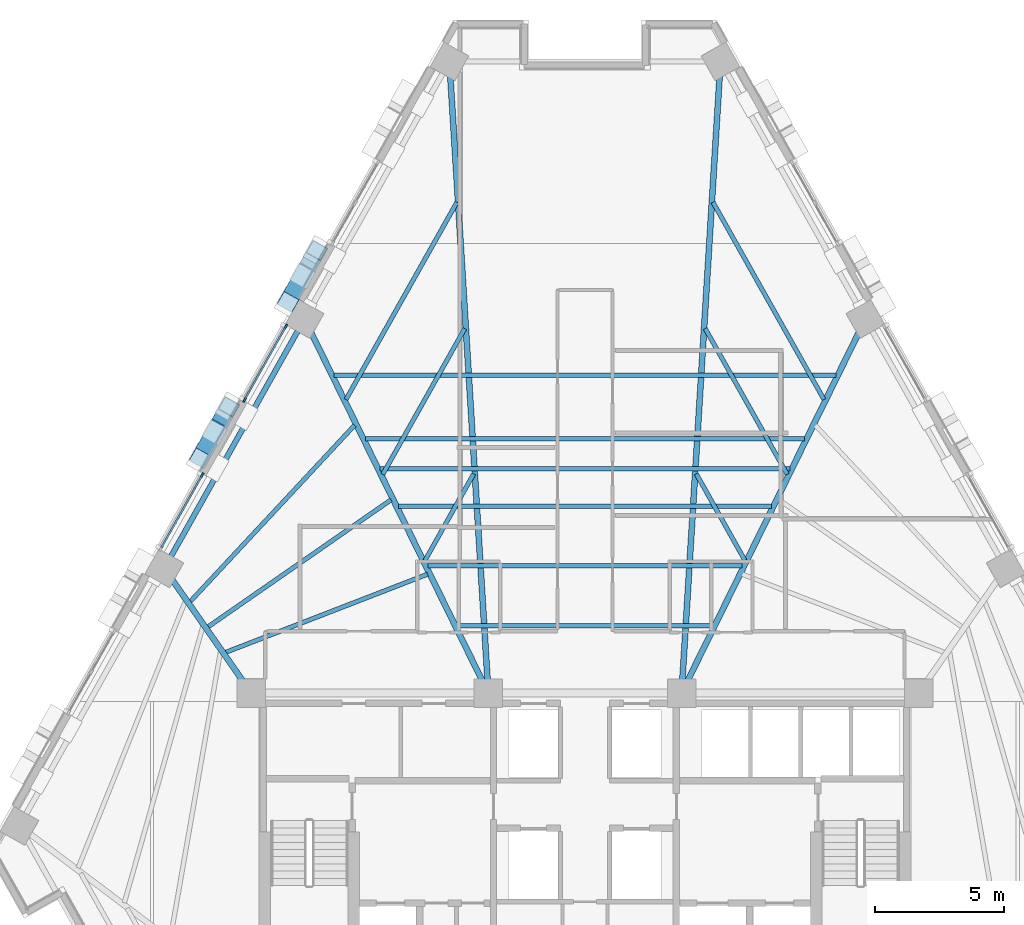
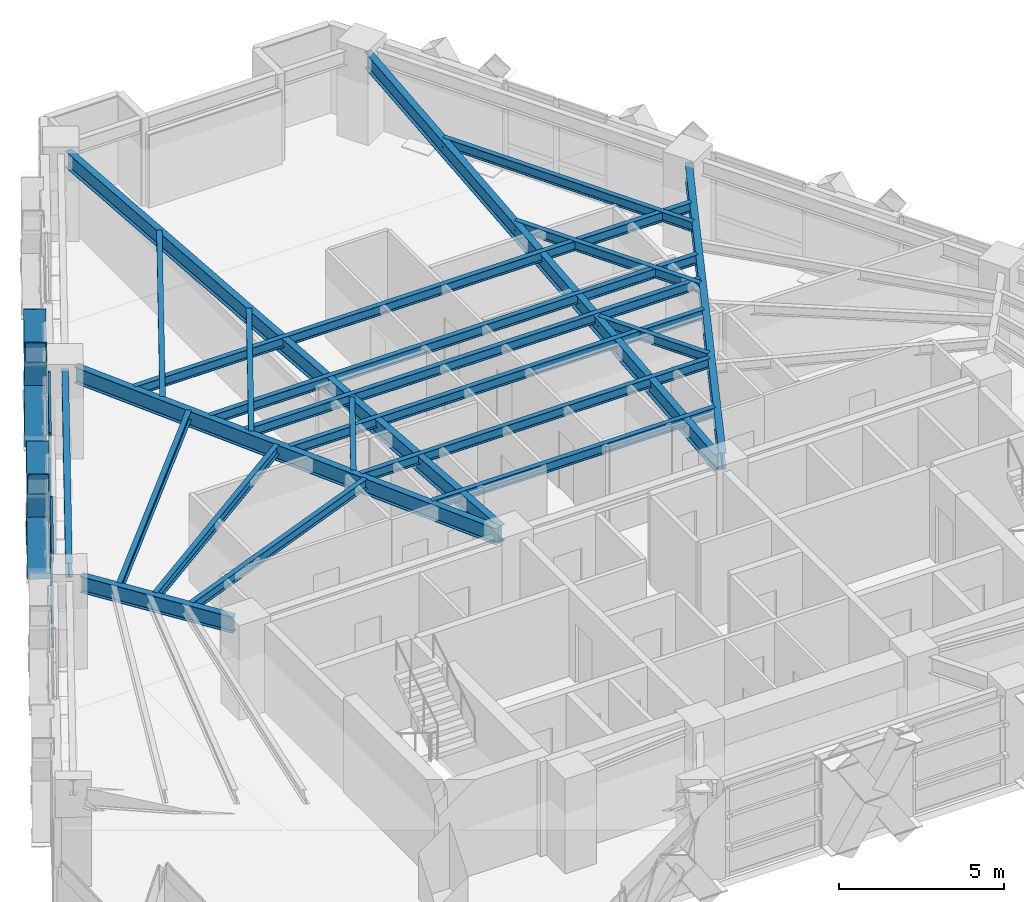
# One storey, part 3 of 14: 21 beams, 14 members, 2 elements without a shape of their own.
"""IFC4 building model written with IfcOpenShell, lengths in metres."""

from ifc_helpers import new_model, si_unit, direction, frame, origin, origin_2d, place, context, subcontext, project, spatial, rectangle, hollow_rectangle, i_section, extrude, material, material_profile, profile_set, type_object, element, aggregate, save


model = new_model("IFC4")

# Units and contexts
model_context = context("Model", 3, precision=1e-05, world=origin(), true_north=direction((0.0, 1.0)))
body_context = subcontext(model_context, "Body", "Model", "MODEL_VIEW")
ifc_project = project(units=[si_unit("LENGTHUNIT", "METRE"), si_unit("AREAUNIT", "SQUARE_METRE"), si_unit("VOLUMEUNIT", "CUBIC_METRE"), si_unit("PLANEANGLEUNIT", "RADIAN"), si_unit("MASSUNIT", "GRAM", prefix="KILO")], contexts=[model_context])

# Site, building, storey
site_placement = place(None, origin())
site = spatial("IfcSite", under=ifc_project, at=site_placement, CompositionType="ELEMENT")
building_placement = place(site_placement, origin())
building = spatial("IfcBuilding", under=site, at=building_placement, Name="Quenlor Broadcast Tower", CompositionType="ELEMENT")
storey_placement = place(building_placement, frame((0.0, 0.0, 112.5)))
storey = spatial("IfcBuildingStorey", under=building, at=storey_placement, Name="L30", CompositionType="ELEMENT", Elevation=112.5)

# Curtain wall, member
ifc_material_1 = material(Name="Architectural Terracotta and Low-E Glazing", Category="masonry")
curtain_wall_type = type_object("IfcCurtainWallType", Name="Unitised Terracotta Curtain Wall System Z2", PredefinedType="NOTDEFINED", material=ifc_material_1)
curtain_wall_1_placement = place(storey_placement, origin())
curtain_wall_1 = element("IfcCurtainWall", 1, at=curtain_wall_1_placement, inside=storey, type_object=curtain_wall_type, Name="L30 Curtain Wall CW2 (L30-NW-G1)", PredefinedType="NOTDEFINED")
ifc_material_2 = material(Name="Aluminium 6063-T6", Category="aluminium")
ifc_material_profile_1 = material_profile(ifc_material_2, rectangle(XDim=0.074951171875, YDim=0.199951171875, at=origin_2d()))
ifc_profile_set_1 = profile_set([ifc_material_profile_1], Name="Aluminium 6063-T6 MULL75x200")
member_type_1 = type_object("IfcMemberType", Name="CW2 Aluminium Mullion MULL_CW2", PredefinedType="MULLION", material=ifc_profile_set_1)
member_1_placement = place(storey_placement, frame((-14.857177734375, 3.660888671875, 0.0), z_axis=(0.0, 0.0, 1.0), x_axis=(-0.871575537123, 0.490261239636, 0.0)))
member_1 = element("IfcMember", 2, at=member_1_placement, type_object=member_type_1, Name="CW2 mullion 2", PredefinedType="MULLION", context=body_context, shape_type="SweptSolid", body=[
    extrude(rectangle(XDim=0.074951171875, YDim=0.199951171875, at=origin_2d()), origin(), (0.0, 0.0, 1.0), 3.25),
])

# Curtain wall, members
curtain_wall_2_placement = place(storey_placement, origin())
curtain_wall_2 = element("IfcCurtainWall", 3, at=curtain_wall_2_placement, inside=storey, type_object=curtain_wall_type, Name="L30 Curtain Wall CW2 (L30-NW-G2)", PredefinedType="NOTDEFINED")
member_2_placement = place(storey_placement, frame((-13.2138671875, 6.582275390625, 0.0), z_axis=(0.0, 0.0, 1.0), x_axis=(-0.871575537123, 0.490261239636, 0.0)))
member_2 = element("IfcMember", 4, at=member_2_placement, type_object=member_type_1, Name="CW2 mullion 1", PredefinedType="MULLION", context=body_context, shape_type="SweptSolid", body=[
    extrude(rectangle(XDim=0.074951171875, YDim=0.199951171875, at=origin_2d()), origin(), (0.0, 0.0, 1.0), 3.25),
])
member_3_placement = place(storey_placement, frame((-11.611572265625, 9.430419921875, 0.0), z_axis=(0.0, 0.0, 1.0), x_axis=(-0.871575537123, 0.490261239636, 0.0)))
member_3 = element("IfcMember", 5, at=member_3_placement, type_object=member_type_1, Name="CW2 mullion 2", PredefinedType="MULLION", context=body_context, shape_type="SweptSolid", body=[
    extrude(rectangle(XDim=0.074951171875, YDim=0.199951171875, at=origin_2d()), origin(), (0.0, 0.0, 1.0), 3.25),
])

# Member
ifc_material_3 = material(Name="Aluminium 6063-T6", Category="aluminium")
ifc_material_profile_2 = material_profile(ifc_material_3, rectangle(XDim=0.074951171875, YDim=0.1650390625, at=origin_2d()))
ifc_profile_set_2 = profile_set([ifc_material_profile_2], Name="Aluminium 6063-T6 TRAN75x165")
member_type_2 = type_object("IfcMemberType", Name="CW2 Aluminium Transom TRAN_CW2", PredefinedType="USERDEFINED", material=ifc_profile_set_2)
member_4_placement = place(storey_placement, frame((-16.44091796875, 0.845458984375, 0.03759765625), z_axis=(0.490297543358, 0.871555115283, 0.0), x_axis=(-0.871555115283, 0.490297543358, 0.0)))
member_4 = element("IfcMember", 6, at=member_4_placement, type_object=member_type_2, Name="CW2 transom 1.1", ObjectType="TRANSOM", PredefinedType="USERDEFINED", context=body_context, shape_type="SweptSolid", body=[
    extrude(rectangle(XDim=0.074951171875, YDim=0.1650390625, at=origin_2d()), origin(), (0.0, 0.0, 1.0), 3.19287109375),
])

member_5_placement = place(storey_placement, frame((-16.44091796875, 0.845458984375, 0.949951171875), z_axis=(0.490297543358, 0.871555115283, 0.0), x_axis=(-0.871555115283, 0.490297543358, 0.0)))
member_5 = element("IfcMember", 7, at=member_5_placement, type_object=member_type_2, Name="CW2 transom 1.2", ObjectType="TRANSOM", PredefinedType="USERDEFINED", context=body_context, shape_type="SweptSolid", body=[
    extrude(rectangle(XDim=0.074951171875, YDim=0.1650390625, at=origin_2d()), origin(), (0.0, 0.0, 1.0), 3.19287109375),
])

member_6_placement = place(storey_placement, frame((-16.44091796875, 0.845458984375, 3.21240234375), z_axis=(0.490297543358, 0.871555115283, 0.0), x_axis=(-0.871555115283, 0.490297543358, 0.0)))
member_6 = element("IfcMember", 8, at=member_6_placement, type_object=member_type_2, Name="CW2 transom 1.3", ObjectType="TRANSOM", PredefinedType="USERDEFINED", context=body_context, shape_type="SweptSolid", body=[
    extrude(rectangle(XDim=0.074951171875, YDim=0.1650390625, at=origin_2d()), origin(), (0.0, 0.0, 1.0), 3.19287109375),
])

aggregate(curtain_wall_1, [member_1, member_4, member_5, member_6])

member_7_placement = place(storey_placement, frame((-13.1953125, 6.614990234375, 0.03759765625), z_axis=(0.490206784037, 0.871606166158, 0.0), x_axis=(-0.871606166158, 0.490206784037, 0.0)))
member_7 = element("IfcMember", 9, at=member_7_placement, type_object=member_type_2, Name="CW2 transom 1.1", ObjectType="TRANSOM", PredefinedType="USERDEFINED", context=body_context, shape_type="SweptSolid", body=[
    extrude(rectangle(XDim=0.074951171875, YDim=0.1650390625, at=origin_2d()), origin(), (0.0, 0.0, 1.0), 3.19287109375),
])

member_8_placement = place(storey_placement, frame((-13.1953125, 6.614990234375, 0.949951171875), z_axis=(0.490206784037, 0.871606166158, 0.0), x_axis=(-0.871606166158, 0.490206784037, 0.0)))
member_8 = element("IfcMember", 10, at=member_8_placement, type_object=member_type_2, Name="CW2 transom 1.2", ObjectType="TRANSOM", PredefinedType="USERDEFINED", context=body_context, shape_type="SweptSolid", body=[
    extrude(rectangle(XDim=0.074951171875, YDim=0.1650390625, at=origin_2d()), origin(), (0.0, 0.0, 1.0), 3.19287109375),
])

member_9_placement = place(storey_placement, frame((-13.1953125, 6.614990234375, 3.21240234375), z_axis=(0.490206784037, 0.871606166158, 0.0), x_axis=(-0.871606166158, 0.490206784037, 0.0)))
member_9 = element("IfcMember", 11, at=member_9_placement, type_object=member_type_2, Name="CW2 transom 1.3", ObjectType="TRANSOM", PredefinedType="USERDEFINED", context=body_context, shape_type="SweptSolid", body=[
    extrude(rectangle(XDim=0.074951171875, YDim=0.1650390625, at=origin_2d()), origin(), (0.0, 0.0, 1.0), 3.19287109375),
])

aggregate(curtain_wall_2, [member_2, member_3, member_7, member_8, member_9])

# Members
ifc_material_4 = material(Name="Steel S355", Category="steel")
ifc_material_profile_3 = material_profile(ifc_material_4, hollow_rectangle(XDim=0.679931640625, YDim=0.679931640625, WallThickness=0.030029296875, at=origin_2d()))
ifc_profile_set_3 = profile_set([ifc_material_profile_3], Name="Steel S355 RHS680x680x30")
member_type_3 = type_object("IfcMemberType", Name="Perimeter Diagonal Lattice Brace Z2 Steel S355 RHS680x30", PredefinedType="BRACE", material=ifc_profile_set_3)
member_10_placement = place(storey_placement, frame((-14.94189453125, 4.316162109375, -0.1201171875), z_axis=(0.268642373731, 0.477592925498, 0.83650240439), x_axis=(-0.871578380919, 0.490256183964, 0.0)))
element("IfcMember", 12, at=member_10_placement, inside=storey, type_object=member_type_3, Name="L30 Perimeter Diamond Lattice NW-C3XA", PredefinedType="BRACE", context=body_context, shape_type="SweptSolid", body=[
    extrude(hollow_rectangle(XDim=0.679931640625, YDim=0.679931640625, WallThickness=0.030029296875, at=origin_2d()), origin(), (0.0, 0.0, 1.0), 4.18408203125),
])
member_11_placement = place(storey_placement, frame((-13.81787109375, 6.314453125, -0.1201171875), z_axis=(-0.268503779961, -0.477634562182, 0.836523128883), x_axis=(0.871704696361, -0.490031552394, 0.0)))
element("IfcMember", 13, at=member_11_placement, inside=storey, type_object=member_type_3, Name="L30 Perimeter Diamond Lattice NW-C3XB1", PredefinedType="BRACE", context=body_context, shape_type="SweptSolid", body=[
    extrude(hollow_rectangle(XDim=0.679931640625, YDim=0.679931640625, WallThickness=0.030029296875, at=origin_2d()), origin(), (0.0, 0.0, 1.0), 1.84228515625),
])
member_12_placement = place(storey_placement, frame((-14.447021484375, 5.19580078125, 1.839111328125), z_axis=(-0.268673537114, -0.477568206326, 0.836506508499), x_axis=(0.871543234879, -0.490318661421, 0.0)))
element("IfcMember", 14, at=member_12_placement, inside=storey, type_object=member_type_3, Name="L30 Perimeter Diamond Lattice NW-C3XB2", PredefinedType="BRACE", context=body_context, shape_type="SweptSolid", body=[
    extrude(hollow_rectangle(XDim=0.679931640625, YDim=0.679931640625, WallThickness=0.030029296875, at=origin_2d()), origin(), (0.0, 0.0, 1.0), 1.841796875),
])
member_13_placement = place(storey_placement, frame((-11.52880859375, 10.3837890625, -0.1201171875), z_axis=(0.268642373731, 0.477592925498, 0.83650240439), x_axis=(-0.871578380919, 0.490256183964, 0.0)))
element("IfcMember", 15, at=member_13_placement, inside=storey, type_object=member_type_3, Name="L30 Perimeter Diamond Lattice NW-C4XA", PredefinedType="BRACE", context=body_context, shape_type="SweptSolid", body=[
    extrude(hollow_rectangle(XDim=0.679931640625, YDim=0.679931640625, WallThickness=0.030029296875, at=origin_2d()), origin(), (0.0, 0.0, 1.0), 4.18408203125),
])
member_14_placement = place(storey_placement, frame((-11.033935546875, 11.263671875, 1.839111328125), z_axis=(-0.268656529223, -0.477670513725, 0.836453554971), x_axis=(0.871601370751, -0.490215310353, 0.0)))
element("IfcMember", 16, at=member_14_placement, inside=storey, type_object=member_type_3, Name="L30 Perimeter Diamond Lattice NW-C4XB2", PredefinedType="BRACE", context=body_context, shape_type="SweptSolid", body=[
    extrude(hollow_rectangle(XDim=0.679931640625, YDim=0.679931640625, WallThickness=0.030029296875, at=origin_2d()), origin(), (0.0, 0.0, 1.0), 1.842041015625),
])

# Beams
ifc_material_5 = material(Name="Steel S355", Category="steel")
ifc_material_profile_4 = material_profile(ifc_material_5, i_section(OverallWidth=0.208984375, OverallDepth=0.5283203125, WebThickness=0.009521484375, FlangeThickness=0.01318359375, FilletRadius=0.013916015625, at=origin_2d()))
ifc_profile_set_4 = profile_set([ifc_material_profile_4], Name="Steel S355 530UB82.0")
beam_type_1 = type_object("IfcBeamType", Name="Perimeter Spandrel Beam Z2 Steel S355 530UB82.0", PredefinedType="SPANDREL", material=ifc_profile_set_4)
beam_1_placement = place(storey_placement, frame((-11.087890625, 9.3623046875, 2.98583984375), z_axis=(-0.49026462139, -0.871573634878, 0.0), x_axis=(0.871573634878, -0.49026462139, 0.0)))
element("IfcBeam", 17, at=beam_1_placement, inside=storey, type_object=beam_type_1, Name="L30 Spandrel Beam NW2-NW3", PredefinedType="SPANDREL", context=body_context, shape_type="SweptSolid", body=[
    extrude(i_section(OverallWidth=0.208984375, OverallDepth=0.5283203125, WebThickness=0.009521484375, FlangeThickness=0.01318359375, FilletRadius=0.013916015625, at=origin_2d()), origin(), (0.0, 0.0, 1.0), 10.28271484375),
])
ifc_material_6 = material(Name="Steel S355", Category="steel")
ifc_material_profile_5 = material_profile(ifc_material_6, i_section(OverallWidth=0.172119140625, OverallDepth=0.358642578125, WebThickness=0.008056640625, FlangeThickness=0.012939453125, FilletRadius=0.011474609375, at=origin_2d()))
ifc_profile_set_5 = profile_set([ifc_material_profile_5], Name="Steel S355 360UB56.7")
beam_type_2 = type_object("IfcBeamType", Name="Tower Composite Joist Z2-Z3 Steel S355 360UB56.7", PredefinedType="JOIST", material=ifc_profile_set_5)
beam_2_placement = place(storey_placement, frame((-4.95458984375, -2.1865234375, 3.07080078125), z_axis=(1.0, 0.0, 0.0), x_axis=(0.0, 1.0, 0.0)))
element("IfcBeam", 18, at=beam_2_placement, inside=storey, type_object=beam_type_2, Name="L30 Secondary Composite Joist 1", PredefinedType="JOIST", context=body_context, shape_type="SweptSolid", body=[
    extrude(i_section(OverallWidth=0.172119140625, OverallDepth=0.358642578125, WebThickness=0.008056640625, FlangeThickness=0.012939453125, FilletRadius=0.011474609375, at=origin_2d()), origin(), (0.0, 0.0, 1.0), 9.9091796875),
])
beam_3_placement = place(storey_placement, frame((-7.9521484375, 3.911865234375, 3.07080078125), z_axis=(1.0, 0.0, 0.0), x_axis=(0.0, 1.0, 0.0)))
element("IfcBeam", 19, at=beam_3_placement, inside=storey, type_object=beam_type_2, Name="L30 Secondary Composite Joist 2", PredefinedType="JOIST", context=body_context, shape_type="SweptSolid", body=[
    extrude(i_section(OverallWidth=0.172119140625, OverallDepth=0.358642578125, WebThickness=0.008056640625, FlangeThickness=0.012939453125, FilletRadius=0.011474609375, at=origin_2d()), origin(), (0.0, 0.0, 1.0), 15.904296875),
])
beam_4_placement = place(storey_placement, frame((-6.096435546875, 0.13671875, 3.07080078125), z_axis=(1.0, 0.0, 0.0), x_axis=(0.0, 1.0, 0.0)))
element("IfcBeam", 20, at=beam_4_placement, inside=storey, type_object=beam_type_2, Name="L30 Secondary Composite Joist 3", PredefinedType="JOIST", context=body_context, shape_type="SweptSolid", body=[
    extrude(i_section(OverallWidth=0.172119140625, OverallDepth=0.358642578125, WebThickness=0.008056640625, FlangeThickness=0.012939453125, FilletRadius=0.011474609375, at=origin_2d()), origin(), (0.0, 0.0, 1.0), 12.19287109375),
])
beam_5_placement = place(storey_placement, frame((-7.238525390625, 2.4599609375, 3.07080078125), z_axis=(1.0, 0.0, 0.0), x_axis=(0.0, 1.0, 0.0)))
element("IfcBeam", 21, at=beam_5_placement, inside=storey, type_object=beam_type_2, Name="L30 Secondary Composite Joist 4", PredefinedType="JOIST", context=body_context, shape_type="SweptSolid", body=[
    extrude(i_section(OverallWidth=0.172119140625, OverallDepth=0.358642578125, WebThickness=0.008056640625, FlangeThickness=0.012939453125, FilletRadius=0.011474609375, at=origin_2d()), origin(), (0.0, 0.0, 1.0), 14.47705078125),
])
beam_6_placement = place(storey_placement, frame((-8.523193359375, 5.073486328125, 3.07080078125), z_axis=(1.0, 0.0, 0.0), x_axis=(0.0, 1.0, 0.0)))
element("IfcBeam", 22, at=beam_6_placement, inside=storey, type_object=beam_type_2, Name="L30 Secondary Composite Joist 5", PredefinedType="JOIST", context=body_context, shape_type="SweptSolid", body=[
    extrude(i_section(OverallWidth=0.172119140625, OverallDepth=0.358642578125, WebThickness=0.008056640625, FlangeThickness=0.012939453125, FilletRadius=0.011474609375, at=origin_2d()), origin(), (0.0, 0.0, 1.0), 17.04638671875),
])
beam_7_placement = place(storey_placement, frame((-9.736328125, 7.541748046875, 3.07080078125), z_axis=(1.0, 0.0, 0.0), x_axis=(0.0, 1.0, 0.0)))
element("IfcBeam", 23, at=beam_7_placement, inside=storey, type_object=beam_type_2, Name="L30 Secondary Composite Joist 6", PredefinedType="JOIST", context=body_context, shape_type="SweptSolid", body=[
    extrude(i_section(OverallWidth=0.172119140625, OverallDepth=0.358642578125, WebThickness=0.008056640625, FlangeThickness=0.012939453125, FilletRadius=0.011474609375, at=origin_2d()), origin(), (0.0, 0.0, 1.0), 19.47265625),
])
beam_8_placement = place(storey_placement, frame((-13.95703125, -3.221435546875, 3.07080078125), z_axis=(0.932542579586, 0.361060018916, 0.0), x_axis=(-0.361060018916, 0.932542579586, 0.0)))
element("IfcBeam", 24, at=beam_8_placement, inside=storey, type_object=beam_type_2, Name="L30 Secondary Composite Joist 7", PredefinedType="JOIST", context=body_context, shape_type="SweptSolid", body=[
    extrude(i_section(OverallWidth=0.172119140625, OverallDepth=0.358642578125, WebThickness=0.008056640625, FlangeThickness=0.012939453125, FilletRadius=0.011474609375, at=origin_2d()), origin(), (0.0, 0.0, 1.0), 8.416259765625),
])
beam_9_placement = place(storey_placement, frame((-14.641845703125, -2.236083984375, 3.07080078125), z_axis=(0.821385737622, 0.570373097219, 0.0), x_axis=(-0.570373097219, 0.821385737622, 0.0)))
element("IfcBeam", 25, at=beam_9_placement, inside=storey, type_object=beam_type_2, Name="L30 Secondary Composite Joist 8", PredefinedType="JOIST", context=body_context, shape_type="SweptSolid", body=[
    extrude(i_section(OverallWidth=0.172119140625, OverallDepth=0.358642578125, WebThickness=0.008056640625, FlangeThickness=0.012939453125, FilletRadius=0.011474609375, at=origin_2d()), origin(), (0.0, 0.0, 1.0), 8.662109375),
])
beam_10_placement = place(storey_placement, frame((-15.3291015625, -1.254638671875, 3.07080078125), z_axis=(0.681880655944, 0.73146344478, 0.0), x_axis=(-0.73146344478, 0.681880655944, 0.0)))
element("IfcBeam", 26, at=beam_10_placement, inside=storey, type_object=beam_type_2, Name="L30 Secondary Composite Joist 9", PredefinedType="JOIST", context=body_context, shape_type="SweptSolid", body=[
    extrude(i_section(OverallWidth=0.172119140625, OverallDepth=0.358642578125, WebThickness=0.008056640625, FlangeThickness=0.012939453125, FilletRadius=0.011474609375, at=origin_2d()), origin(), (0.0, 0.0, 1.0), 9.365234375),
])
beam_11_placement = place(storey_placement, frame((-4.318603515625, 3.7119140625, 3.07080078125), z_axis=(-0.49024921379, -0.871582301552, 0.0), x_axis=(0.871582301552, -0.49024921379, 0.0)))
element("IfcBeam", 27, at=beam_11_placement, inside=storey, type_object=beam_type_2, Name="L30 Secondary Composite Joist 25", PredefinedType="JOIST", context=body_context, shape_type="SweptSolid", body=[
    extrude(i_section(OverallWidth=0.172119140625, OverallDepth=0.358642578125, WebThickness=0.008056640625, FlangeThickness=0.012939453125, FilletRadius=0.011474609375, at=origin_2d()), origin(), (0.0, 0.0, 1.0), 3.85546875),
])
beam_12_placement = place(storey_placement, frame((-4.66650390625, 9.351318359375, 3.07080078125), z_axis=(-0.490232680913, -0.871591600789, 0.0), x_axis=(0.871591600789, -0.490232680913, 0.0)))
element("IfcBeam", 28, at=beam_12_placement, inside=storey, type_object=beam_type_2, Name="L30 Secondary Composite Joist 26", PredefinedType="JOIST", context=body_context, shape_type="SweptSolid", body=[
    extrude(i_section(OverallWidth=0.172119140625, OverallDepth=0.358642578125, WebThickness=0.008056640625, FlangeThickness=0.012939453125, FilletRadius=0.011474609375, at=origin_2d()), origin(), (0.0, 0.0, 1.0), 6.494140625),
])
beam_13_placement = place(storey_placement, frame((-4.96875, 14.255126953125, 3.07080078125), z_axis=(-0.490273109583, -0.871568860171, 0.0), x_axis=(0.871568860171, -0.490273109583, 0.0)))
element("IfcBeam", 29, at=beam_13_placement, inside=storey, type_object=beam_type_2, Name="L30 Secondary Composite Joist 27", PredefinedType="JOIST", context=body_context, shape_type="SweptSolid", body=[
    extrude(i_section(OverallWidth=0.172119140625, OverallDepth=0.358642578125, WebThickness=0.008056640625, FlangeThickness=0.012939453125, FilletRadius=0.011474609375, at=origin_2d()), origin(), (0.0, 0.0, 1.0), 8.78857421875),
])
beam_14_placement = place(storey_placement, frame((4.318603515625, 3.7119140625, 3.07080078125), z_axis=(0.49024921379, -0.871582301552, 0.0), x_axis=(0.871582301552, 0.49024921379, 0.0)))
element("IfcBeam", 30, at=beam_14_placement, inside=storey, type_object=beam_type_2, Name="L30 Secondary Composite Joist 28", PredefinedType="JOIST", context=body_context, shape_type="SweptSolid", body=[
    extrude(i_section(OverallWidth=0.172119140625, OverallDepth=0.358642578125, WebThickness=0.008056640625, FlangeThickness=0.012939453125, FilletRadius=0.011474609375, at=origin_2d()), origin(), (0.0, 0.0, 1.0), 3.85546875),
])
beam_15_placement = place(storey_placement, frame((4.66650390625, 9.351318359375, 3.07080078125), z_axis=(0.490232680913, -0.871591600789, 0.0), x_axis=(0.871591600789, 0.490232680913, 0.0)))
element("IfcBeam", 31, at=beam_15_placement, inside=storey, type_object=beam_type_2, Name="L30 Secondary Composite Joist 29", PredefinedType="JOIST", context=body_context, shape_type="SweptSolid", body=[
    extrude(i_section(OverallWidth=0.172119140625, OverallDepth=0.358642578125, WebThickness=0.008056640625, FlangeThickness=0.012939453125, FilletRadius=0.011474609375, at=origin_2d()), origin(), (0.0, 0.0, 1.0), 6.494140625),
])
beam_16_placement = place(storey_placement, frame((4.96875, 14.255126953125, 3.07080078125), z_axis=(0.490273109583, -0.871568860171, 0.0), x_axis=(0.871568860171, 0.490273109583, 0.0)))
element("IfcBeam", 32, at=beam_16_placement, inside=storey, type_object=beam_type_2, Name="L30 Secondary Composite Joist 30", PredefinedType="JOIST", context=body_context, shape_type="SweptSolid", body=[
    extrude(i_section(OverallWidth=0.172119140625, OverallDepth=0.358642578125, WebThickness=0.008056640625, FlangeThickness=0.012939453125, FilletRadius=0.011474609375, at=origin_2d()), origin(), (0.0, 0.0, 1.0), 8.78857421875),
])
ifc_material_7 = material(Name="Steel S355", Category="steel")
ifc_material_profile_6 = material_profile(ifc_material_7, i_section(OverallWidth=0.22802734375, OverallDepth=0.60205078125, WebThickness=0.010498046875, FlangeThickness=0.014892578125, FilletRadius=0.013916015625, at=origin_2d()))
ifc_profile_set_6 = profile_set([ifc_material_profile_6], Name="Steel S355 610UB101")
beam_type_3 = type_object("IfcBeamType", Name="Tower Primary Floor Beam Z2 Steel S355 610UB101", PredefinedType="BEAM", material=ifc_profile_set_6)
beam_17_placement = place(storey_placement, frame((10.7060546875, 9.351806640625, 2.948974609375), z_axis=(-0.441130328176, -0.897443053103, 0.0), x_axis=(0.897443053103, -0.441130328176, 0.0)))
element("IfcBeam", 33, at=beam_17_placement, inside=storey, type_object=beam_type_3, Name="L30 Primary Radial Beam NE3", PredefinedType="BEAM", context=body_context, shape_type="SweptSolid", body=[
    extrude(i_section(OverallWidth=0.22802734375, OverallDepth=0.60205078125, WebThickness=0.010498046875, FlangeThickness=0.014892578125, FilletRadius=0.013916015625, at=origin_2d()), origin(), (0.0, 0.0, 1.0), 15.38916015625),
])
for number, where, z_axis, x_axis, name in (
    (34, (5.237060546875, 19.309814453125, 2.948974609375), (-0.061559977358, -0.998103386022, 0.0), (0.998103386022, -0.061559977358, 0.0), "L30 Primary Radial Beam NE4"),
    (35, (-5.237060546875, 19.309814453125, 2.948974609375), (0.061559977358, -0.998103386022, 0.0), (0.998103386022, 0.061559977358, 0.0), "L30 Primary Radial Beam NW1"),
):
    element("IfcBeam", number, at=place(storey_placement, frame(where, z_axis=z_axis, x_axis=x_axis)), inside=storey, type_object=beam_type_3, Name=name, PredefinedType="BEAM", context=body_context, shape_type="SweptSolid", body=[
        extrude(i_section(OverallWidth=0.22802734375, OverallDepth=0.60205078125, WebThickness=0.010498046875, FlangeThickness=0.014892578125, FilletRadius=0.013916015625, at=origin_2d()), origin(), (0.0, 0.0, 1.0), 23.775634765625),
    ])
beam_18_placement = place(storey_placement, frame((-10.7060546875, 9.351806640625, 2.948974609375), z_axis=(0.441130328176, -0.897443053103, 0.0), x_axis=(0.897443053103, 0.441130328176, 0.0)))
element("IfcBeam", 36, at=beam_18_placement, inside=storey, type_object=beam_type_3, Name="L30 Primary Radial Beam NW2", PredefinedType="BEAM", context=body_context, shape_type="SweptSolid", body=[
    extrude(i_section(OverallWidth=0.22802734375, OverallDepth=0.60205078125, WebThickness=0.010498046875, FlangeThickness=0.014892578125, FilletRadius=0.013916015625, at=origin_2d()), origin(), (0.0, 0.0, 1.0), 15.38916015625),
])
beam_19_placement = place(storey_placement, frame((-16.095458984375, -0.293212890625, 2.948974609375), z_axis=(0.572337599985, -0.820018092266, 0.0), x_axis=(0.820018092266, 0.572337599985, 0.0)))
element("IfcBeam", 37, at=beam_19_placement, inside=storey, type_object=beam_type_3, Name="L30 Primary Radial Beam NW3", PredefinedType="BEAM", context=body_context, shape_type="SweptSolid", body=[
    extrude(i_section(OverallWidth=0.22802734375, OverallDepth=0.60205078125, WebThickness=0.010498046875, FlangeThickness=0.014892578125, FilletRadius=0.013916015625, at=origin_2d()), origin(), (0.0, 0.0, 1.0), 5.11572265625),
])

save(model, "model.ifc")
